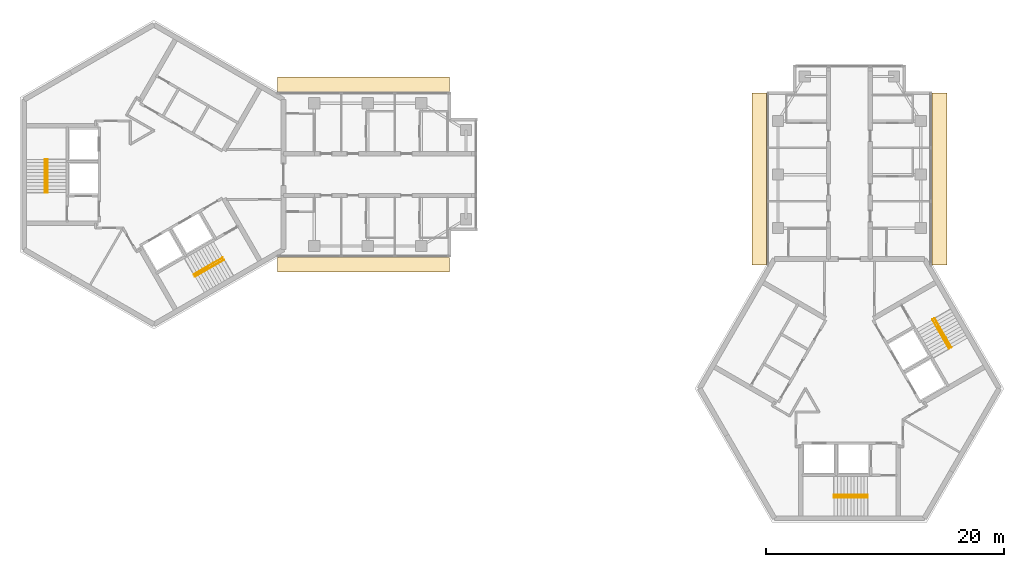
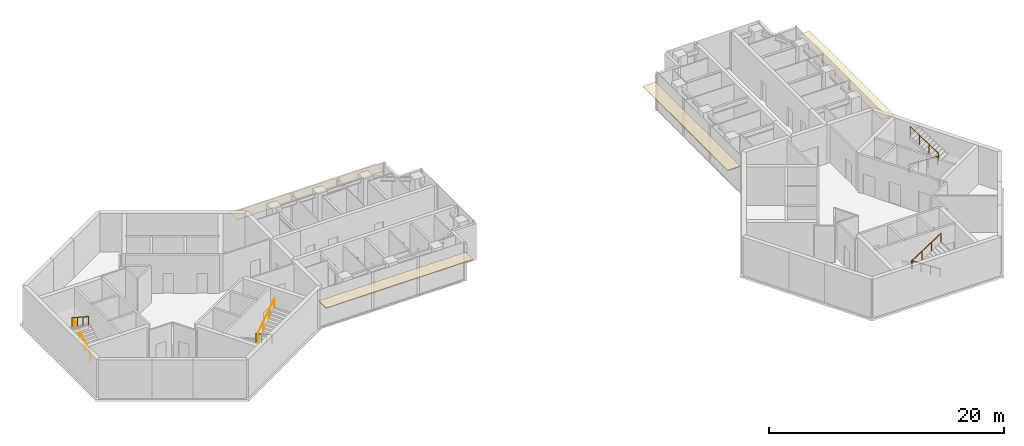
# One storey, part 11 of 11: 8 railings, 4 coverings.
"""IFC4 building model written with IfcOpenShell, lengths in metres."""

from ifc_helpers import new_model, si_unit, direction, frame, origin, origin_2d, place, context, subcontext, project, spatial, rectangle, circle, extrude, material, layer, layer_set, type_object, element, save


model = new_model("IFC4")

# Units and contexts
model_context = context("Model", 3, precision=1e-05, world=origin(), true_north=direction((0.0, 1.0)))
body_context = subcontext(model_context, "Body", "Model", "MODEL_VIEW")
ifc_project = project(units=[si_unit("LENGTHUNIT", "METRE"), si_unit("AREAUNIT", "SQUARE_METRE"), si_unit("VOLUMEUNIT", "CUBIC_METRE"), si_unit("PLANEANGLEUNIT", "RADIAN"), si_unit("MASSUNIT", "GRAM", prefix="KILO")], contexts=[model_context])

# Site, building, storey
site_placement = place(None, origin())
site = spatial("IfcSite", under=ifc_project, at=site_placement, CompositionType="ELEMENT")
building_placement = place(site_placement, origin())
building = spatial("IfcBuilding", under=site, at=building_placement, Name="Upepo Twin Towers", CompositionType="ELEMENT")
storey_placement = place(building_placement, frame((0.0, 0.0, 279.5)))
storey = spatial("IfcBuildingStorey", under=building, at=storey_placement, Name="L68", CompositionType="ELEMENT", Elevation=279.5)

# Coverings
ifc_material_1 = material(Name="Anodised aluminium, pale silver", Category="aluminium")
ifc_layer = layer(ifc_material_1, 0.080078125)
ifc_layer_set = layer_set([ifc_layer], Name="Brise-soleil blade 1250 pale aluminium")
covering_type = type_object("IfcCoveringType", Name="Brise-soleil blade 1250 pale aluminium", PredefinedType="USERDEFINED", material=ifc_layer_set)
for number, where, z_axis, x_axis, name in (
    (1, (17.61865234375, 7.590087890625, 2.909912109375), (0.0, 0.0, 1.0), (1.0, 0.0, 0.0), "T1 L68 wing A brise-soleil L"),
    (2, (17.61865234375, -7.590087890625, 2.909912109375), (0.0, 0.0, 1.0), (1.0, 0.0, 0.0), "T1 L68 wing A brise-soleil R"),
    (3, (50.909912109375, -0.38134765625, 2.909912109375), (0.0, 0.0, 1.0), (0.0, 1.0, 0.0), "T2 L68 wing A brise-soleil L"),
    (4, (66.090087890625, -0.38134765625, 2.909912109375), (0.0, 0.0, 1.0), (0.0, 1.0, 0.0), "T2 L68 wing A brise-soleil R"),
):
    element("IfcCovering", number, at=place(storey_placement, frame(where, z_axis=z_axis, x_axis=x_axis)), inside=storey, type_object=covering_type, Name=name, ObjectType="SUNSHADE", PredefinedType="USERDEFINED", context=body_context, shape_type="SweptSolid", body=[
        extrude(rectangle(XDim=14.462890625, YDim=1.25, at=origin_2d()), origin(), (0.0, 0.0, 1.0), 0.080078125),
    ])

# Railings
ifc_material_2 = material(Name="Stainless steel", Category="steel")
railing_type = type_object("IfcRailingType", Name="Stair handrail 900", PredefinedType="HANDRAIL", material=ifc_material_2)
railing_1_placement = place(storey_placement, frame((-8.949951171875, -1.52001953125, 0.181884765625)))
element("IfcRailing", 5, at=railing_1_placement, inside=storey, type_object=railing_type, Name="T1 stair S1 L68 handrail 1", PredefinedType="HANDRAIL", context=body_context, shape_type="SweptSolid", body=[
    extrude(circle(Radius=0.02392578125, at=origin_2d()), frame((0.0, 0.0, 0.8759765625), z_axis=(0.0, 0.838705829183, 0.544584733623), x_axis=(-1.0, 0.0, 0.0)), (0.0, 0.0, 1.0), 3.338623046875),
    extrude(circle(Radius=0.02099609375, at=origin_2d()), origin(), (0.0, 0.0, 1.0), 0.851806640625),
    extrude(circle(Radius=0.02099609375, at=origin_2d()), frame((0.0, 0.933349609375, 0.60595703125)), (0.0, 0.0, 1.0), 0.851806640625),
    extrude(circle(Radius=0.02099609375, at=origin_2d()), frame((0.0, 1.86669921875, 1.212158203125)), (0.0, 0.0, 1.0), 0.851806640625),
    extrude(circle(Radius=0.02099609375, at=origin_2d()), frame((0.0, 2.800048828125, 1.818115234375)), (0.0, 0.0, 1.0), 0.851806640625),
])
railing_2_placement = place(storey_placement, frame((-9.158447265625, 1.280029296875, 2.181884765625)))
element("IfcRailing", 6, at=railing_2_placement, inside=storey, type_object=railing_type, Name="T1 stair S1 L68 handrail 2", PredefinedType="HANDRAIL", context=body_context, shape_type="SweptSolid", body=[
    extrude(circle(Radius=0.02392578125, at=origin_2d()), frame((0.0, 0.0, 0.8759765625), z_axis=(0.0, -0.838705829183, 0.544584733623), x_axis=(1.0, 0.0, 0.0)), (0.0, 0.0, 1.0), 3.338623046875),
    extrude(circle(Radius=0.02099609375, at=origin_2d()), origin(), (0.0, 0.0, 1.0), 0.851806640625),
    extrude(circle(Radius=0.02099609375, at=origin_2d()), frame((0.0, -0.933349609375, 0.60595703125)), (0.0, 0.0, 1.0), 0.851806640625),
    extrude(circle(Radius=0.02099609375, at=origin_2d()), frame((0.0, -1.86669921875, 1.212158203125)), (0.0, 0.0, 1.0), 0.851806640625),
    extrude(circle(Radius=0.02099609375, at=origin_2d()), frame((0.0, -2.800048828125, 1.818115234375)), (0.0, 0.0, 1.0), 0.851806640625),
])
railing_3_placement = place(storey_placement, frame((5.791259765625, -6.990966796875, 0.181884765625)))
element("IfcRailing", 7, at=railing_3_placement, inside=storey, type_object=railing_type, Name="T1 stair S2 L68 handrail 1", PredefinedType="HANDRAIL", context=body_context, shape_type="SweptSolid", body=[
    extrude(circle(Radius=0.02392578125, at=origin_2d()), frame((0.0, 0.0, 0.8759765625), z_axis=(-0.726336304947, -0.419332699614, 0.544605966869), x_axis=(0.49998411664, -0.866034573852, 0.0)), (0.0, 0.0, 1.0), 3.33837890625),
    extrude(circle(Radius=0.02099609375, at=origin_2d()), origin(), (0.0, 0.0, 1.0), 0.851806640625),
    extrude(circle(Radius=0.02099609375, at=origin_2d()), frame((-0.808349609375, -0.466552734375, 0.60595703125)), (0.0, 0.0, 1.0), 0.851806640625),
    extrude(circle(Radius=0.02099609375, at=origin_2d()), frame((-1.616455078125, -0.933349609375, 1.212158203125)), (0.0, 0.0, 1.0), 0.851806640625),
    extrude(circle(Radius=0.02099609375, at=origin_2d()), frame((-2.4248046875, -1.39990234375, 1.818115234375)), (0.0, 0.0, 1.0), 0.851806640625),
])
railing_4_placement = place(storey_placement, frame((3.470703125, -8.5712890625, 2.181884765625)))
element("IfcRailing", 8, at=railing_4_placement, inside=storey, type_object=railing_type, Name="T1 stair S2 L68 handrail 2", PredefinedType="HANDRAIL", context=body_context, shape_type="SweptSolid", body=[
    extrude(circle(Radius=0.02392578125, at=origin_2d()), frame((0.0, 0.0, 0.8759765625), z_axis=(0.726336304947, 0.419332699614, 0.544605966869), x_axis=(-0.49998411664, 0.866034573852, 0.0)), (0.0, 0.0, 1.0), 3.33837890625),
    extrude(circle(Radius=0.02099609375, at=origin_2d()), origin(), (0.0, 0.0, 1.0), 0.851806640625),
    extrude(circle(Radius=0.02099609375, at=origin_2d()), frame((0.808349609375, 0.466552734375, 0.60595703125)), (0.0, 0.0, 1.0), 0.851806640625),
    extrude(circle(Radius=0.02099609375, at=origin_2d()), frame((1.616455078125, 0.933349609375, 1.212158203125)), (0.0, 0.0, 1.0), 0.851806640625),
    extrude(circle(Radius=0.02099609375, at=origin_2d()), frame((2.4248046875, 1.39990234375, 1.818115234375)), (0.0, 0.0, 1.0), 0.851806640625),
])
railing_5_placement = place(storey_placement, frame((60.02001953125, -26.949951171875, 0.181884765625)))
element("IfcRailing", 9, at=railing_5_placement, inside=storey, type_object=railing_type, Name="T2 stair S1 L68 handrail 1", PredefinedType="HANDRAIL", context=body_context, shape_type="SweptSolid", body=[
    extrude(circle(Radius=0.02392578125, at=origin_2d()), frame((0.0, 0.0, 0.8759765625), z_axis=(-0.838705829183, 0.0, 0.544584733623), x_axis=(0.0, -1.0, 0.0)), (0.0, 0.0, 1.0), 3.338623046875),
    extrude(circle(Radius=0.02099609375, at=origin_2d()), origin(), (0.0, 0.0, 1.0), 0.851806640625),
    extrude(circle(Radius=0.02099609375, at=origin_2d()), frame((-0.933349609375, 0.0, 0.60595703125)), (0.0, 0.0, 1.0), 0.851806640625),
    extrude(circle(Radius=0.02099609375, at=origin_2d()), frame((-1.86669921875, 0.0, 1.212158203125)), (0.0, 0.0, 1.0), 0.851806640625),
    extrude(circle(Radius=0.02099609375, at=origin_2d()), frame((-2.800048828125, 0.0, 1.818115234375)), (0.0, 0.0, 1.0), 0.851806640625),
])
railing_6_placement = place(storey_placement, frame((57.219970703125, -27.158447265625, 2.181884765625)))
element("IfcRailing", 10, at=railing_6_placement, inside=storey, type_object=railing_type, Name="T2 stair S1 L68 handrail 2", PredefinedType="HANDRAIL", context=body_context, shape_type="SweptSolid", body=[
    extrude(circle(Radius=0.02392578125, at=origin_2d()), frame((0.0, 0.0, 0.8759765625), z_axis=(0.838705829183, 0.0, 0.544584733623), x_axis=(0.0, 1.0, 0.0)), (0.0, 0.0, 1.0), 3.338623046875),
    extrude(circle(Radius=0.02099609375, at=origin_2d()), origin(), (0.0, 0.0, 1.0), 0.851806640625),
    extrude(circle(Radius=0.02099609375, at=origin_2d()), frame((0.933349609375, 0.0, 0.60595703125)), (0.0, 0.0, 1.0), 0.851806640625),
    extrude(circle(Radius=0.02099609375, at=origin_2d()), frame((1.86669921875, 0.0, 1.212158203125)), (0.0, 0.0, 1.0), 0.851806640625),
    extrude(circle(Radius=0.02099609375, at=origin_2d()), frame((2.800048828125, 0.0, 1.818115234375)), (0.0, 0.0, 1.0), 0.851806640625),
])
railing_7_placement = place(storey_placement, frame((65.490966796875, -12.208740234375, 0.181884765625)))
element("IfcRailing", 11, at=railing_7_placement, inside=storey, type_object=railing_type, Name="T2 stair S2 L68 handrail 1", PredefinedType="HANDRAIL", context=body_context, shape_type="SweptSolid", body=[
    extrude(circle(Radius=0.02392578125, at=origin_2d()), frame((0.0, 0.0, 0.8759765625), z_axis=(0.419332699614, -0.726336304947, 0.544605966869), x_axis=(0.866034573852, 0.49998411664, 0.0)), (0.0, 0.0, 1.0), 3.33837890625),
    extrude(circle(Radius=0.02099609375, at=origin_2d()), origin(), (0.0, 0.0, 1.0), 0.851806640625),
    extrude(circle(Radius=0.02099609375, at=origin_2d()), frame((0.466552734375, -0.808349609375, 0.60595703125)), (0.0, 0.0, 1.0), 0.851806640625),
    extrude(circle(Radius=0.02099609375, at=origin_2d()), frame((0.933349609375, -1.616455078125, 1.212158203125)), (0.0, 0.0, 1.0), 0.851806640625),
    extrude(circle(Radius=0.02099609375, at=origin_2d()), frame((1.39990234375, -2.4248046875, 1.818115234375)), (0.0, 0.0, 1.0), 0.851806640625),
])
railing_8_placement = place(storey_placement, frame((67.0712890625, -14.529296875, 2.181884765625)))
element("IfcRailing", 12, at=railing_8_placement, inside=storey, type_object=railing_type, Name="T2 stair S2 L68 handrail 2", PredefinedType="HANDRAIL", context=body_context, shape_type="SweptSolid", body=[
    extrude(circle(Radius=0.02392578125, at=origin_2d()), frame((0.0, 0.0, 0.8759765625), z_axis=(-0.419332699614, 0.726336304947, 0.544605966869), x_axis=(-0.866034573852, -0.49998411664, 0.0)), (0.0, 0.0, 1.0), 3.33837890625),
    extrude(circle(Radius=0.02099609375, at=origin_2d()), origin(), (0.0, 0.0, 1.0), 0.851806640625),
    extrude(circle(Radius=0.02099609375, at=origin_2d()), frame((-0.466552734375, 0.808349609375, 0.60595703125)), (0.0, 0.0, 1.0), 0.851806640625),
    extrude(circle(Radius=0.02099609375, at=origin_2d()), frame((-0.933349609375, 1.616455078125, 1.212158203125)), (0.0, 0.0, 1.0), 0.851806640625),
    extrude(circle(Radius=0.02099609375, at=origin_2d()), frame((-1.39990234375, 2.4248046875, 1.818115234375)), (0.0, 0.0, 1.0), 0.851806640625),
])

save(model, "model.ifc")
